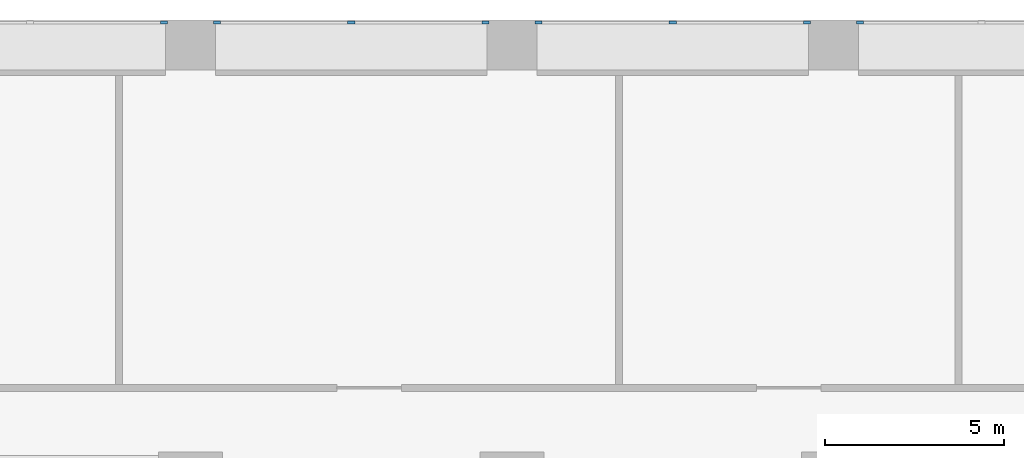
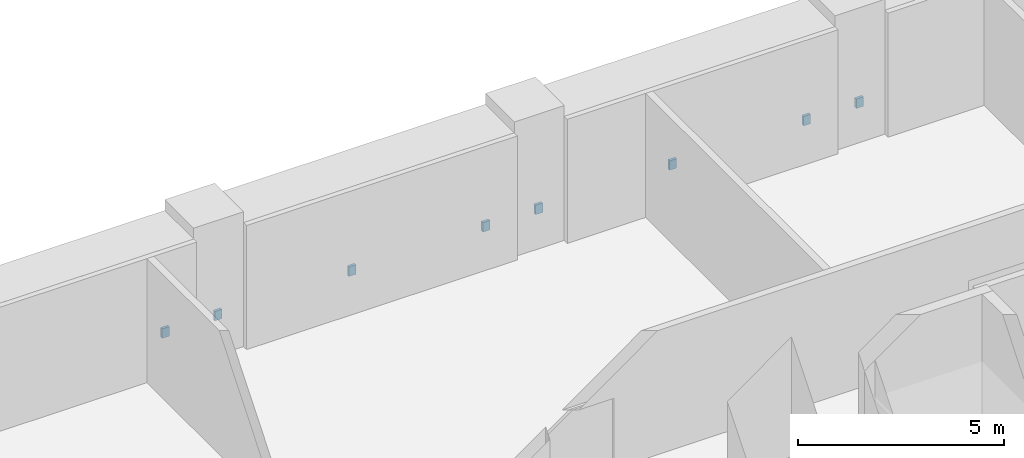
# One storey, part 15 of 24: 8 members, 4 elements without a shape of their own.
"""IFC4 building model written with IfcOpenShell, lengths in metres."""

from ifc_helpers import new_model, si_unit, direction, frame, origin, origin_2d, place, context, subcontext, project, spatial, rectangle, extrude, material, layer, layer_set, material_profile, profile_set, type_object, element, aggregate, save


model = new_model("IFC4")

# Units and contexts
model_context = context("Model", 3, precision=1e-05, world=origin(), true_north=direction((0.0, 1.0)))
body_context = subcontext(model_context, "Body", "Model", "MODEL_VIEW")
ifc_project = project(units=[si_unit("LENGTHUNIT", "METRE"), si_unit("AREAUNIT", "SQUARE_METRE"), si_unit("VOLUMEUNIT", "CUBIC_METRE"), si_unit("PLANEANGLEUNIT", "RADIAN"), si_unit("MASSUNIT", "GRAM", prefix="KILO")], contexts=[model_context])

# Site, building, storey
site_placement = place(None, origin())
site = spatial("IfcSite", under=ifc_project, at=site_placement, CompositionType="ELEMENT")
building_placement = place(site_placement, origin())
building = spatial("IfcBuilding", under=site, at=building_placement, Name="Brigalow Station Residences", CompositionType="ELEMENT")
storey_placement = place(building_placement, frame((0.0, 0.0, 15.5)))
storey = spatial("IfcBuildingStorey", under=building, at=storey_placement, Name="L03", CompositionType="ELEMENT", Elevation=15.5)

# Curtain wall, member
ifc_material_1 = material(Name="Aluminium", Category="aluminium")
ifc_layer = layer(ifc_material_1, 0.199951171875)
ifc_layer_set = layer_set([ifc_layer], Name="REFUGE FLOOR LOUVRE CURTAIN WALL")
curtain_wall_type = type_object("IfcCurtainWallType", Name="REFUGE FLOOR LOUVRE CURTAIN WALL", PredefinedType="NOTDEFINED", material=ifc_layer_set)
curtain_wall_1_placement = place(storey_placement, origin())
curtain_wall_1 = element("IfcCurtainWall", 1, at=curtain_wall_1_placement, inside=storey, type_object=curtain_wall_type, Name="L03/cw/louvre-slot-W-L03-25-7", PredefinedType="NOTDEFINED")
ifc_material_2 = material(Name="Aluminium", Category="aluminium")
ifc_material_profile = material_profile(ifc_material_2, rectangle(XDim=0.080078125, YDim=0.199951171875, at=origin_2d()), Name="REFUGE FLOOR LOUVRE MULLION 80x200")
ifc_profile_set = profile_set([ifc_material_profile], Name="Aluminium")
member_type = type_object("IfcMemberType", Name="REFUGE FLOOR LOUVRE MULLION 80x200", PredefinedType="MULLION", material=ifc_profile_set)
member_1_placement = place(storey_placement, frame((63.739990234375, 48.425048828125, 0.0), z_axis=(0.0, 0.0, 1.0), x_axis=(0.0, -1.0, 0.0)))
member_1 = element("IfcMember", 2, at=member_1_placement, type_object=member_type, Name="L03/cw/louvre-slot-W-L03-25-7/M02", PredefinedType="MULLION", context=body_context, shape_type="SweptSolid", body=[
    extrude(rectangle(XDim=0.080078125, YDim=0.199951171875, at=origin_2d()), origin(), (0.0, 0.0, 1.0), 0.280029296875),
])
aggregate(curtain_wall_1, [member_1])

# Curtain wall, members
curtain_wall_2_placement = place(storey_placement, origin())
curtain_wall_2 = element("IfcCurtainWall", 3, at=curtain_wall_2_placement, inside=storey, type_object=curtain_wall_type, Name="L03/cw/louvre-slot-W-L03-25-8", PredefinedType="NOTDEFINED")
member_2_placement = place(storey_placement, frame((62.260009765625, 48.425048828125, 0.0), z_axis=(0.0, 0.0, 1.0), x_axis=(0.0, -1.0, 0.0)))
member_2 = element("IfcMember", 4, at=member_2_placement, type_object=member_type, Name="L03/cw/louvre-slot-W-L03-25-8/M00", PredefinedType="MULLION", context=body_context, shape_type="SweptSolid", body=[
    extrude(rectangle(XDim=0.080078125, YDim=0.199951171875, at=origin_2d()), origin(), (0.0, 0.0, 1.0), 0.280029296875),
])
member_3_placement = place(storey_placement, frame((58.5, 48.425048828125, 0.0), z_axis=(0.0, 0.0, 1.0), x_axis=(0.0, -1.0, 0.0)))
member_3 = element("IfcMember", 5, at=member_3_placement, type_object=member_type, Name="L03/cw/louvre-slot-W-L03-25-8/M01", PredefinedType="MULLION", context=body_context, shape_type="SweptSolid", body=[
    extrude(rectangle(XDim=0.080078125, YDim=0.199951171875, at=origin_2d()), origin(), (0.0, 0.0, 1.0), 0.280029296875),
])
member_4_placement = place(storey_placement, frame((54.739990234375, 48.425048828125, 0.0), z_axis=(0.0, 0.0, 1.0), x_axis=(0.0, -1.0, 0.0)))
member_4 = element("IfcMember", 6, at=member_4_placement, type_object=member_type, Name="L03/cw/louvre-slot-W-L03-25-8/M02", PredefinedType="MULLION", context=body_context, shape_type="SweptSolid", body=[
    extrude(rectangle(XDim=0.080078125, YDim=0.199951171875, at=origin_2d()), origin(), (0.0, 0.0, 1.0), 0.280029296875),
])
aggregate(curtain_wall_2, [member_2, member_3, member_4])

curtain_wall_3_placement = place(storey_placement, origin())
curtain_wall_3 = element("IfcCurtainWall", 7, at=curtain_wall_3_placement, inside=storey, type_object=curtain_wall_type, Name="L03/cw/louvre-slot-W-L03-25-9", PredefinedType="NOTDEFINED")
member_5_placement = place(storey_placement, frame((53.260009765625, 48.425048828125, 0.0), z_axis=(0.0, 0.0, 1.0), x_axis=(0.0, -1.0, 0.0)))
member_5 = element("IfcMember", 8, at=member_5_placement, type_object=member_type, Name="L03/cw/louvre-slot-W-L03-25-9/M00", PredefinedType="MULLION", context=body_context, shape_type="SweptSolid", body=[
    extrude(rectangle(XDim=0.080078125, YDim=0.199951171875, at=origin_2d()), origin(), (0.0, 0.0, 1.0), 0.280029296875),
])
member_6_placement = place(storey_placement, frame((49.5, 48.425048828125, 0.0), z_axis=(0.0, 0.0, 1.0), x_axis=(0.0, -1.0, 0.0)))
member_6 = element("IfcMember", 9, at=member_6_placement, type_object=member_type, Name="L03/cw/louvre-slot-W-L03-25-9/M01", PredefinedType="MULLION", context=body_context, shape_type="SweptSolid", body=[
    extrude(rectangle(XDim=0.080078125, YDim=0.199951171875, at=origin_2d()), origin(), (0.0, 0.0, 1.0), 0.280029296875),
])
member_7_placement = place(storey_placement, frame((45.739990234375, 48.425048828125, 0.0), z_axis=(0.0, 0.0, 1.0), x_axis=(0.0, -1.0, 0.0)))
member_7 = element("IfcMember", 10, at=member_7_placement, type_object=member_type, Name="L03/cw/louvre-slot-W-L03-25-9/M02", PredefinedType="MULLION", context=body_context, shape_type="SweptSolid", body=[
    extrude(rectangle(XDim=0.080078125, YDim=0.199951171875, at=origin_2d()), origin(), (0.0, 0.0, 1.0), 0.280029296875),
])
aggregate(curtain_wall_3, [member_5, member_6, member_7])

# Curtain wall, member
curtain_wall_4_placement = place(storey_placement, origin())
curtain_wall_4 = element("IfcCurtainWall", 11, at=curtain_wall_4_placement, inside=storey, type_object=curtain_wall_type, Name="L03/cw/louvre-slot-W-L03-25-10", PredefinedType="NOTDEFINED")
member_8_placement = place(storey_placement, frame((44.260009765625, 48.425048828125, 0.0), z_axis=(0.0, 0.0, 1.0), x_axis=(0.0, -1.0, 0.0)))
member_8 = element("IfcMember", 12, at=member_8_placement, type_object=member_type, Name="L03/cw/louvre-slot-W-L03-25-10/M00", PredefinedType="MULLION", context=body_context, shape_type="SweptSolid", body=[
    extrude(rectangle(XDim=0.080078125, YDim=0.199951171875, at=origin_2d()), origin(), (0.0, 0.0, 1.0), 0.280029296875),
])
aggregate(curtain_wall_4, [member_8])

save(model, "model.ifc")
